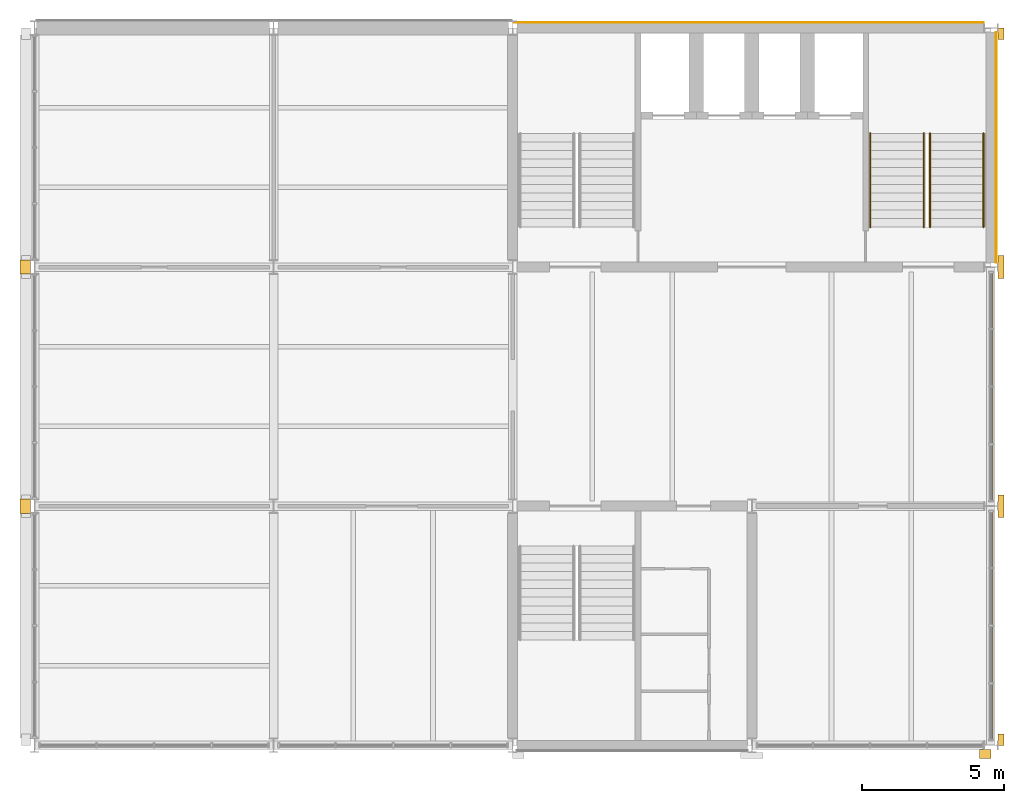
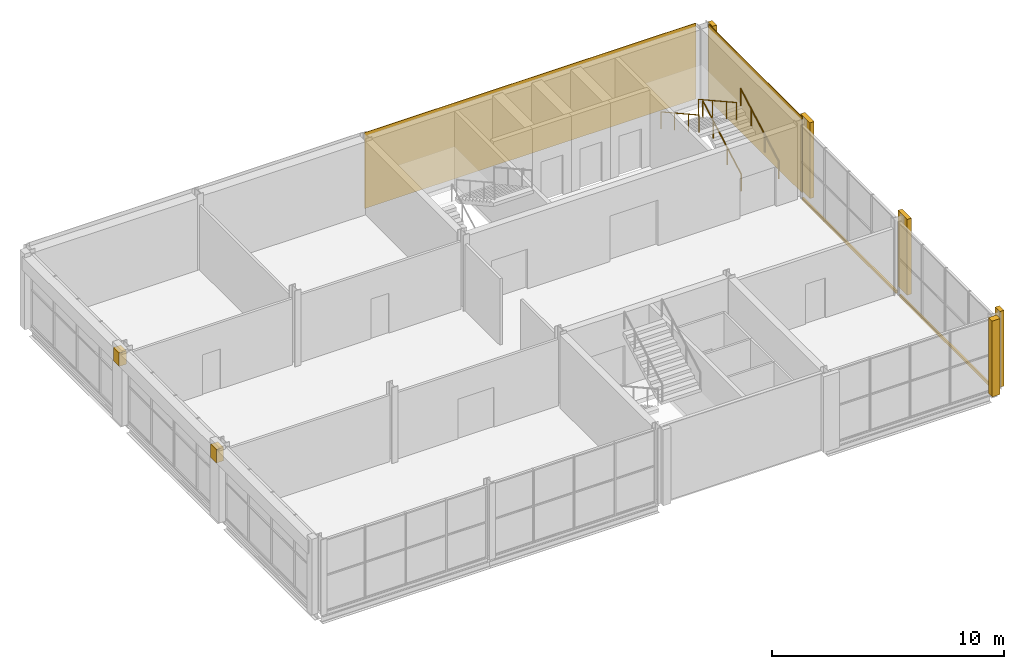
# One storey, part 12 of 12: 11 coverings, 4 railings.
"""IFC4 building model written with IfcOpenShell, lengths in metres."""

from ifc_helpers import new_model, si_unit, direction, frame, origin, origin_2d, place, context, subcontext, project, spatial, rectangle, circle, extrude, material, layer, layer_set, type_object, element, save


model = new_model("IFC4")

# Units and contexts
model_context = context("Model", 3, precision=1e-05, world=origin(), true_north=direction((0.0, 1.0)))
body_context = subcontext(model_context, "Body", "Model", "MODEL_VIEW")
ifc_project = project(units=[si_unit("LENGTHUNIT", "METRE"), si_unit("AREAUNIT", "SQUARE_METRE"), si_unit("VOLUMEUNIT", "CUBIC_METRE"), si_unit("PLANEANGLEUNIT", "RADIAN"), si_unit("MASSUNIT", "GRAM", prefix="KILO")], contexts=[model_context])

# Site, building, storey
site_placement = place(None, origin())
site = spatial("IfcSite", under=ifc_project, at=site_placement, CompositionType="ELEMENT")
building_placement = place(site_placement, origin())
building = spatial("IfcBuilding", under=site, at=building_placement, Name="Galleria Vessillo Department Store", CompositionType="ELEMENT")
storey_placement = place(building_placement, frame((0.0, 0.0, 43.60009765625)))
storey = spatial("IfcBuildingStorey", under=building, at=storey_placement, Name="L09", CompositionType="ELEMENT", Elevation=43.60009765625)

# Coverings
ifc_material_1 = material(Name="Lime plaster (intonaco) ochre")
ifc_layer_1 = layer(ifc_material_1, 0.030029296875)
ifc_layer_set_1 = layer_set([ifc_layer_1], Name="Lime plaster (intonaco) ochre")
covering_type_1 = type_object("IfcCoveringType", Name="Lime plaster render 30 mm", PredefinedType="CLADDING", material=ifc_layer_set_1)
covering_1_placement = place(storey_placement, frame((109.090087890625, 63.18994140625, 0.0), z_axis=(0.0, 0.0, 1.0), x_axis=(1.0, 0.0, 0.0)))
element("IfcCovering", 1, at=covering_1_placement, inside=storey, type_object=covering_type_1, Name="Wall cladding S-CW-TC-PARTY-L09", PredefinedType="CLADDING", context=body_context, shape_type="SweptSolid", body=[
    extrude(rectangle(XDim=16.52001953125, YDim=0.030029296875, at=origin_2d()), origin(), (0.0, 0.0, 1.0), 4.0),
])
ifc_material_2 = material(Name="Botticino limestone ashlar", Category="masonry")
ifc_layer_2 = layer(ifc_material_2, 0.449951171875)
ifc_layer_set_2 = layer_set([ifc_layer_2], Name="Botticino limestone ashlar")
covering_type_2 = type_object("IfcCoveringType", Name="Limestone cornice 450 x 700", PredefinedType="MOLDING", material=ifc_layer_set_2)
for number, where, z_axis, x_axis, name in (
    (2, (83.669921875, 46.199951171875, 3.10009765625), (0.0, 0.0, 1.0), (1.0, 0.0, 0.0), "Joint block Cornice TW-L09-01"),
    (3, (83.669921875, 54.60009765625, 3.10009765625), (0.0, 0.0, 1.0), (1.0, 0.0, 0.0), "Joint block Cornice TW-L09-02"),
):
    element("IfcCovering", number, at=place(storey_placement, frame(where, z_axis=z_axis, x_axis=x_axis)), inside=storey, type_object=covering_type_2, Name=name, PredefinedType="MOLDING", context=body_context, shape_type="SweptSolid", body=[
        extrude(rectangle(XDim=0.360107421875, YDim=0.5, at=origin_2d()), origin(), (0.0, 0.0, 1.0), 0.699951171875),
    ])
ifc_material_3 = material(Name="Botticino limestone ashlar", Category="masonry")
ifc_layer_3 = layer(ifc_material_3, 0.14990234375)
ifc_layer_set_3 = layer_set([ifc_layer_3], Name="Botticino limestone ashlar")
covering_type_3 = type_object("IfcCoveringType", Name="Limestone slab-edge fascia 150 mm", PredefinedType="CLADDING", material=ifc_layer_set_3)
covering_2_placement = place(storey_placement, frame((117.64013671875, 42.0, -0.14990234375), z_axis=(0.0, 0.0, 1.0), x_axis=(1.0, 0.0, 0.0)))
element("IfcCovering", 4, at=covering_2_placement, inside=storey, type_object=covering_type_3, Name="Slab-edge fascia TE-L08-01", PredefinedType="CLADDING", context=body_context, shape_type="SweptSolid", body=[
    extrude(rectangle(XDim=0.080078125, YDim=8.099853515625, at=origin_2d()), origin(), (0.0, 0.0, 1.0), 0.14990234375),
])
covering_3_placement = place(storey_placement, frame((117.64013671875, 50.39990234375, -0.14990234375), z_axis=(0.0, 0.0, 1.0), x_axis=(1.0, 0.0, 0.0)))
element("IfcCovering", 5, at=covering_3_placement, inside=storey, type_object=covering_type_3, Name="Slab-edge fascia TE-L08-02", PredefinedType="CLADDING", context=body_context, shape_type="SweptSolid", body=[
    extrude(rectangle(XDim=0.080078125, YDim=8.10009765625, at=origin_2d()), origin(), (0.0, 0.0, 1.0), 0.14990234375),
])
ifc_material_4 = material(Name="Botticino limestone ashlar", Category="masonry")
ifc_layer_4 = layer(ifc_material_4, 0.31005859375)
ifc_layer_set_4 = layer_set([ifc_layer_4], Name="Botticino limestone ashlar")
covering_type_4 = type_object("IfcCoveringType", Name="Limestone tower pilaster strip", PredefinedType="CLADDING", material=ifc_layer_set_4)
covering_4_placement = place(storey_placement, frame((117.955078125, 38.0, 0.0), z_axis=(0.0, 0.0, 1.0), x_axis=(1.0, 0.0, 0.0)))
element("IfcCovering", 6, at=covering_4_placement, inside=storey, type_object=covering_type_4, Name="Tower pilaster strip E L09 37.8", PredefinedType="CLADDING", context=body_context, shape_type="SweptSolid", body=[
    extrude(rectangle(XDim=0.2099609375, YDim=0.39990234375, at=origin_2d()), origin(), (0.0, 0.0, 1.0), 4.0),
])
for number, where, z_axis, x_axis, name in (
    (7, (117.955078125, 46.199951171875, 0.0), (0.0, 0.0, 1.0), (1.0, 0.0, 0.0), "Tower pilaster strip E L09 46.2"),
    (8, (117.955078125, 54.60009765625, 0.0), (0.0, 0.0, 1.0), (1.0, 0.0, 0.0), "Tower pilaster strip E L09 54.6"),
):
    element("IfcCovering", number, at=place(storey_placement, frame(where, z_axis=z_axis, x_axis=x_axis)), inside=storey, type_object=covering_type_4, Name=name, PredefinedType="CLADDING", context=body_context, shape_type="SweptSolid", body=[
        extrude(rectangle(XDim=0.2099609375, YDim=0.800048828125, at=origin_2d()), origin(), (0.0, 0.0, 1.0), 4.0),
    ])
covering_5_placement = place(storey_placement, frame((117.955078125, 62.800048828125, 0.0), z_axis=(0.0, 0.0, 1.0), x_axis=(1.0, 0.0, 0.0)))
element("IfcCovering", 9, at=covering_5_placement, inside=storey, type_object=covering_type_4, Name="Tower pilaster strip E L09 63.0", PredefinedType="CLADDING", context=body_context, shape_type="SweptSolid", body=[
    extrude(rectangle(XDim=0.2099609375, YDim=0.39990234375, at=origin_2d()), origin(), (0.0, 0.0, 1.0), 4.0),
])
covering_6_placement = place(storey_placement, frame((117.400146484375, 37.4951171875, 0.0), z_axis=(0.0, 0.0, 1.0), x_axis=(1.0, 0.0, 0.0)))
element("IfcCovering", 10, at=covering_6_placement, inside=storey, type_object=covering_type_4, Name="Tower pilaster strip S L09 117.6", PredefinedType="CLADDING", context=body_context, shape_type="SweptSolid", body=[
    extrude(rectangle(XDim=0.39990234375, YDim=0.31005859375, at=origin_2d()), origin(), (0.0, 0.0, 1.0), 4.0),
])
ifc_material_5 = material(Name="Botticino limestone ashlar", Category="masonry")
ifc_layer_5 = layer(ifc_material_5, 0.030029296875)
ifc_layer_set_5 = layer_set([ifc_layer_5], Name="Botticino limestone ashlar")
covering_type_5 = type_object("IfcCoveringType", Name="Limestone wall cladding 30 mm", PredefinedType="CLADDING", material=ifc_layer_set_5)
covering_7_placement = place(storey_placement, frame((117.7900390625, 58.800048828125, 0.0), z_axis=(0.0, 0.0, 1.0), x_axis=(1.0, 0.0, 0.0)))
element("IfcCovering", 11, at=covering_7_placement, inside=storey, type_object=covering_type_5, Name="Wall cladding S-CW-TC-EAST-L09", PredefinedType="CLADDING", context=body_context, shape_type="SweptSolid", body=[
    extrude(rectangle(XDim=0.030029296875, YDim=8.099853515625, at=origin_2d()), origin(), (0.0, 0.0, 1.0), 4.0),
])

# Railings
ifc_material_6 = material(Name="Stainless steel tube", Category="steel")
railing_type = type_object("IfcRailingType", Name="Stair handrail steel tube 48 mm", PredefinedType="HANDRAIL", material=ifc_material_6)
for number, where, name in (
    (12, (115.4599609375, 56.0, 0.166748046875), "Handrail ST9 L09 flight 1A"),
    (13, (117.33984375, 56.0, 0.166748046875), "Handrail ST9 L09 flight 1B"),
):
    element("IfcRailing", number, at=place(storey_placement, frame(where)), inside=storey, type_object=railing_type, Name=name, PredefinedType="HANDRAIL", context=body_context, shape_type="SweptSolid", body=[
        extrude(circle(Radius=0.02392578125, at=origin_2d()), frame((0.0, 0.0, 0.89599609375), z_axis=(0.0, 0.874199221805, 0.485567421267), x_axis=(-1.0, 0.0, 0.0)), (0.0, 0.0, 1.0), 1.37255859375),
        extrude(circle(Radius=0.02392578125, at=origin_2d()), frame((0.0, 1.199951171875, 1.5625), z_axis=(0.0, 0.874123717778, 0.485703331282), x_axis=(-1.0, 0.0, 0.0)), (0.0, 0.0, 1.0), 1.372802734375),
        extrude(circle(Radius=0.02392578125, at=origin_2d()), frame((0.0, 2.39990234375, 2.22900390625), z_axis=(0.0, 0.874190826042, 0.485582536407), x_axis=(-1.0, 0.0, 0.0)), (0.0, 0.0, 1.0), 1.02978515625),
        extrude(circle(Radius=0.02099609375, at=origin_2d()), origin(), (0.0, 0.0, 1.0), 0.871826171875),
        extrude(circle(Radius=0.02099609375, at=origin_2d()), frame((0.0, 1.199951171875, 0.66650390625)), (0.0, 0.0, 1.0), 0.871826171875),
        extrude(circle(Radius=0.02099609375, at=origin_2d()), frame((0.0, 2.39990234375, 1.333251953125)), (0.0, 0.0, 1.0), 0.871826171875),
        extrude(circle(Radius=0.02099609375, at=origin_2d()), frame((0.0, 3.300048828125, 1.833251953125)), (0.0, 0.0, 1.0), 0.871826171875),
    ])
for number, where, name in (
    (14, (115.239990234375, 59.300048828125, 2.166748046875), "Handrail ST9 L09 flight 2A"),
    (15, (113.360107421875, 59.300048828125, 2.166748046875), "Handrail ST9 L09 flight 2B"),
):
    element("IfcRailing", number, at=place(storey_placement, frame(where)), inside=storey, type_object=railing_type, Name=name, PredefinedType="HANDRAIL", context=body_context, shape_type="SweptSolid", body=[
        extrude(circle(Radius=0.02392578125, at=origin_2d()), frame((0.0, 0.0, 0.89599609375), z_axis=(0.0, -0.874199221805, 0.485567421267), x_axis=(1.0, 0.0, 0.0)), (0.0, 0.0, 1.0), 1.37255859375),
        extrude(circle(Radius=0.02392578125, at=origin_2d()), frame((0.0, -1.199951171875, 1.5625), z_axis=(0.0, -0.874123717778, 0.485703331282), x_axis=(1.0, 0.0, 0.0)), (0.0, 0.0, 1.0), 1.372802734375),
        extrude(circle(Radius=0.02392578125, at=origin_2d()), frame((0.0, -2.39990234375, 2.22900390625), z_axis=(0.0, -0.874190826042, 0.485582536407), x_axis=(1.0, 0.0, 0.0)), (0.0, 0.0, 1.0), 1.02978515625),
        extrude(circle(Radius=0.02099609375, at=origin_2d()), origin(), (0.0, 0.0, 1.0), 0.871826171875),
        extrude(circle(Radius=0.02099609375, at=origin_2d()), frame((0.0, -1.199951171875, 0.66650390625)), (0.0, 0.0, 1.0), 0.871826171875),
        extrude(circle(Radius=0.02099609375, at=origin_2d()), frame((0.0, -2.39990234375, 1.333251953125)), (0.0, 0.0, 1.0), 0.871826171875),
        extrude(circle(Radius=0.02099609375, at=origin_2d()), frame((0.0, -3.300048828125, 1.833251953125)), (0.0, 0.0, 1.0), 0.871826171875),
    ])

save(model, "model.ifc")
